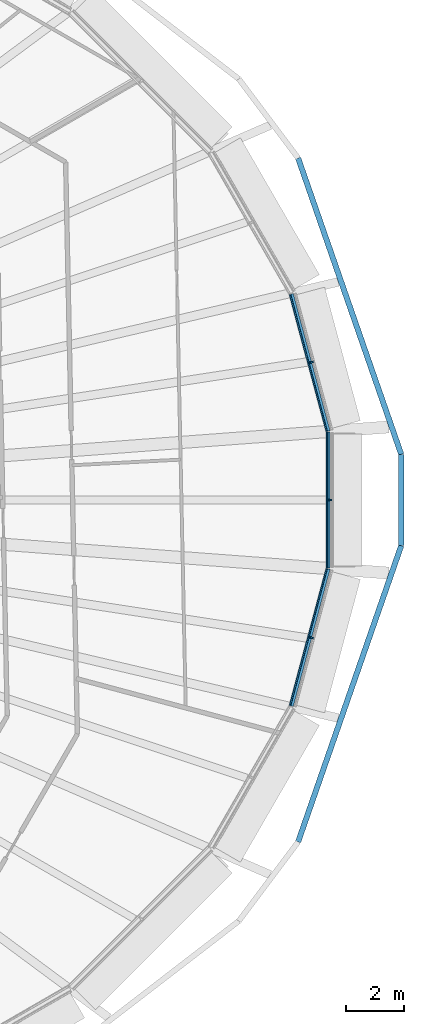
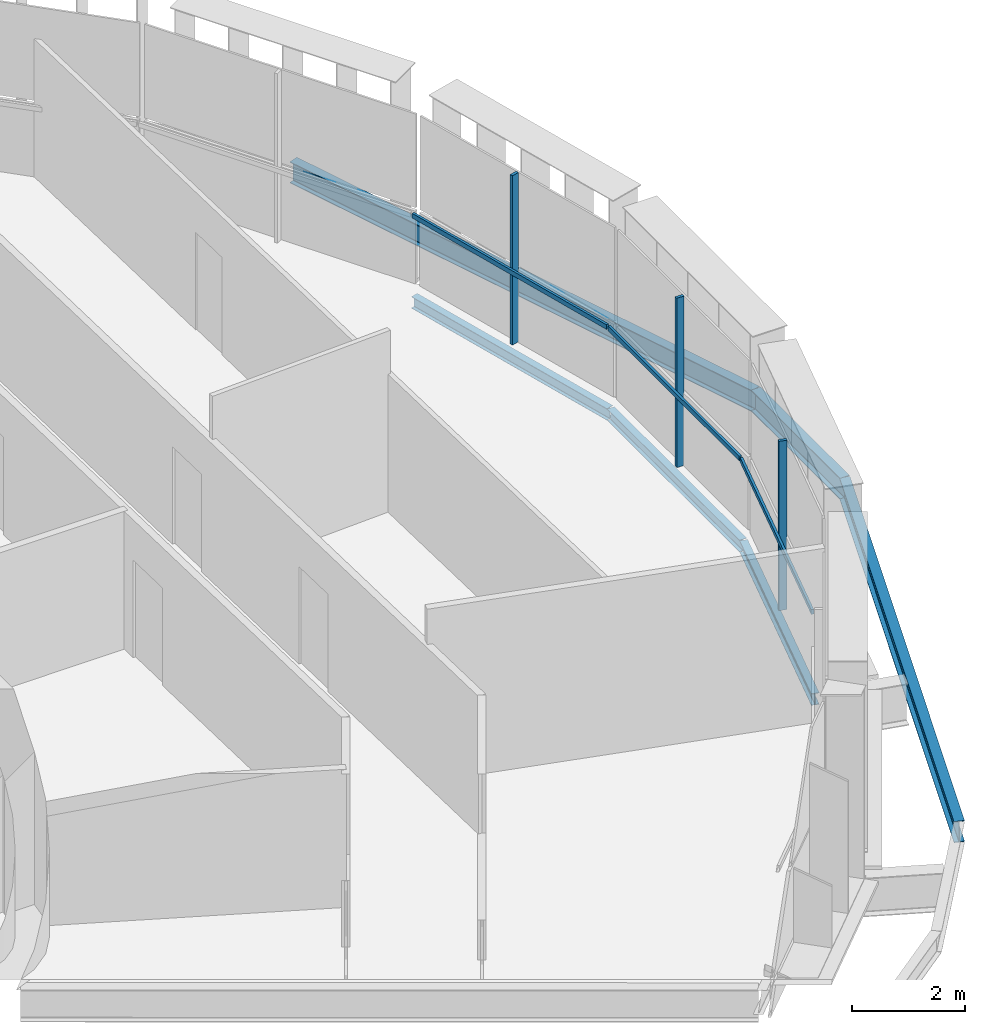
# One storey, part 12 of 26: 6 beams, 6 members, 3 elements without a shape of their own.
"""IFC4 building model written with IfcOpenShell, lengths in metres."""

import ifcopenshell
import ifcopenshell.guid

model = None  # the IFC model being written
_history = None  # IfcOwnerHistory: only IFC2X3 demands one
_inside = {}  # id of a spatial element -> (the spatial element, [elements in it])
_under = {}  # id of a project, library or spatial element -> (it, [spatial elements below it])
_declared = {}  # id of a project -> (the project, [libraries it declares])
_typed = {}  # id of a type object -> (the type object, [elements of that type])
_made_of = {}  # id of a material, layer set ... -> (it, [elements and type objects made of it])


def new_model(schema):
    """Start an empty IFC model of exactly this schema.

    Asked for "IFC4X3", IfcOpenShell would pick the latest addendum, in which some entities
    have other attributes; the version numbers below select the first issue.
    IFC2X3 requires an IfcOwnerHistory on every rooted entity: one is made here for all.
    """
    global model, _history
    if schema == "IFC4X3":
        model = ifcopenshell.file(schema_version=(4, 3, 0, 0))
    else:
        model = ifcopenshell.file(schema=schema)
    _inside.clear()
    _under.clear()
    _declared.clear()
    _typed.clear()
    _made_of.clear()
    _history = None
    if model.schema == "IFC2X3":
        org = make("IfcOrganization", Name="unknown")
        user = make(
            "IfcPersonAndOrganization",
            ThePerson=make("IfcPerson", FamilyName="unknown"),
            TheOrganization=org,
        )
        app = make(
            "IfcApplication",
            ApplicationDeveloper=org,
            Version="unknown",
            ApplicationFullName="unknown",
            ApplicationIdentifier="unknown",
        )
        _history = make(
            "IfcOwnerHistory",
            OwningUser=user,
            OwningApplication=app,
            ChangeAction="ADDED",
            CreationDate=0,
        )
    return model


def make(cls, **values):
    """One entity of the class cls with the attributes given. An attribute that is None is left unset."""
    return model.create_entity(
        cls, **{name: value for name, value in values.items() if value is not None}
    )


def rooted(cls, **values):
    """An entity with a GlobalId (a new one), such as an element, a storey or a relation."""
    return make(cls, GlobalId=ifcopenshell.guid.new(), OwnerHistory=_history, **values)


def si_unit(unit_type, name, prefix=None):
    """IfcSIUnit, for example si_unit("LENGTHUNIT", "METRE", prefix="MILLI")."""
    return make("IfcSIUnit", UnitType=unit_type, Prefix=prefix, Name=name)


def assignment(units):
    """IfcUnitAssignment: the units of a project."""
    return None if units is None else make("IfcUnitAssignment", Units=units)


def point(xyz):
    """IfcCartesianPoint."""
    return None if xyz is None else make("IfcCartesianPoint", Coordinates=xyz)


def direction(xyz):
    """IfcDirection."""
    return None if xyz is None else make("IfcDirection", DirectionRatios=xyz)


def frame(location, z_axis=None, x_axis=None):
    """IfcAxis2Placement3D, a coordinate frame: its origin and axes. An axis left out is left unset."""
    return make(
        "IfcAxis2Placement3D",
        Location=point(location),
        Axis=direction(z_axis),
        RefDirection=direction(x_axis),
    )


def frame_2d(location, x_axis=None):
    """IfcAxis2Placement2D, a coordinate frame in the plane: its origin and x axis."""
    return make(
        "IfcAxis2Placement2D", Location=point(location), RefDirection=direction(x_axis)
    )


def origin():
    """The frame at (0, 0, 0) with its axes left unset."""
    return frame((0.0, 0.0, 0.0))


def origin_2d():
    """The frame at (0, 0) in the plane with its x axis left unset."""
    return frame_2d((0.0, 0.0))


def place(relative_to, where):
    """IfcLocalPlacement: puts the frame where relative to a parent placement (None: the world)."""
    return make(
        "IfcLocalPlacement", PlacementRelTo=relative_to, RelativePlacement=where
    )


def context(
    kind, dimensions, precision=None, world=None, true_north=None, identifier=None
):
    """IfcGeometricRepresentationContext, for example the 3D "Model" context."""
    return make(
        "IfcGeometricRepresentationContext",
        ContextIdentifier=identifier,
        ContextType=kind,
        CoordinateSpaceDimension=dimensions,
        Precision=precision,
        WorldCoordinateSystem=world,
        TrueNorth=true_north,
    )


def subcontext(parent, identifier, kind, view, scale=None):
    """IfcGeometricRepresentationSubContext, for example "Body" below "Model"."""
    return make(
        "IfcGeometricRepresentationSubContext",
        ContextIdentifier=identifier,
        ContextType=kind,
        ParentContext=parent,
        TargetScale=scale,
        TargetView=view,
    )


def project(units=None, contexts=None):
    """IfcProject with its units and contexts."""
    return rooted(
        "IfcProject",
        Name="project",
        RepresentationContexts=contexts,
        UnitsInContext=assignment(units),
    )


def spatial(cls, under=None, at=None, **own):
    """A site, building, storey or space (cls), placed at a placement, below another one or the project."""
    s = rooted(cls, ObjectPlacement=at, **own)
    if under is not None:
        _under.setdefault(under.id(), (under, []))[1].append(s)
    return s


def profile(cls, at=None, kind="AREA", **sizes):
    """A parametric profile (cls). Its sizes go by their IFC names, for example OverallWidth=200.0."""
    return make(cls, ProfileType=kind, Position=at, **sizes)


def rectangle(**sizes):
    """IfcRectangleProfileDef."""
    return profile("IfcRectangleProfileDef", **sizes)


def i_section(**sizes):
    """IfcIShapeProfileDef."""
    return profile("IfcIShapeProfileDef", **sizes)


def extrude(swept, where, along, depth):
    """IfcExtrudedAreaSolid: the profile swept, set in the frame where, extruded along a direction by depth."""
    return make(
        "IfcExtrudedAreaSolid",
        SweptArea=swept,
        Position=where,
        ExtrudedDirection=direction(along),
        Depth=depth,
    )


def shape(context_of_items, identifier, shape_type, items):
    """IfcShapeRepresentation: the items that make up one representation, for example the "Body"."""
    return make(
        "IfcShapeRepresentation",
        ContextOfItems=context_of_items,
        RepresentationIdentifier=identifier,
        RepresentationType=shape_type,
        Items=items,
    )


def material(Name=None, Category=None):
    """IfcMaterial."""
    return make("IfcMaterial", Name=Name, Category=Category)


def layer(
    of_material, thickness, ventilated=None, Name=None, Category=None, Priority=None
):
    """IfcMaterialLayer: one layer of a wall or slab, of a material (None: an air gap)."""
    return make(
        "IfcMaterialLayer",
        Material=of_material,
        LayerThickness=thickness,
        IsVentilated=ventilated,
        Name=Name,
        Category=Category,
        Priority=Priority,
    )


def layer_set(layers, Name=None):
    """IfcMaterialLayerSet."""
    return make("IfcMaterialLayerSet", MaterialLayers=layers, LayerSetName=Name)


def material_profile(
    of_material, cross_section, Name=None, Category=None, Priority=None
):
    """IfcMaterialProfile: a cross section and its material."""
    return make(
        "IfcMaterialProfile",
        Name=Name,
        Material=of_material,
        Profile=cross_section,
        Priority=Priority,
        Category=Category,
    )


def profile_set(profiles, Name=None, composite=None):
    """IfcMaterialProfileSet."""
    return make(
        "IfcMaterialProfileSet",
        Name=Name,
        MaterialProfiles=profiles,
        CompositeProfile=composite,
    )


def made_of(thing, what):
    """Note that an element or type object is made of a material, layer set ...; save() writes the relation."""
    if what is not None:
        _made_of.setdefault(what.id(), (what, []))[1].append(thing)
    return thing


def type_object(cls, material=None, **own):
    """A type object (cls), such as IfcWallType, which elements share."""
    return made_of(rooted(cls, **own), material)


def element(
    cls,
    number,
    at=None,
    inside=None,
    cuts=None,
    type_object=None,
    material=None,
    context=None,
    identifier="Body",
    shape_type=None,
    held_by="IfcProductDefinitionShape",
    body=None,
    shapes=None,
    **own,
):
    """One element of the class cls, such as IfcWall. Its Tag is "e" and its number.

    at: its placement. inside: the storey or other place that contains it. cuts: it is an
    opening in that element (IfcRelVoidsElement). A single representation is given by context,
    identifier, shape_type and body (its items); several are given by shapes. held_by: the class
    of the entity that holds the representations. save() writes the other relations.
    """
    e = rooted(cls, Tag="e%d" % number, ObjectPlacement=at, **own)
    if body is not None:
        shapes = [shape(context, identifier, shape_type, body)]
    if shapes is not None:
        e.Representation = make(held_by, Representations=shapes)
    if inside is not None:
        _inside.setdefault(inside.id(), (inside, []))[1].append(e)
    if cuts is not None:
        rooted(
            "IfcRelVoidsElement", RelatingBuildingElement=cuts, RelatedOpeningElement=e
        )
    if type_object is not None:
        _typed.setdefault(type_object.id(), (type_object, []))[1].append(e)
    return made_of(e, material)


def aggregate(whole, parts):
    """IfcRelAggregates: a whole, such as a stair, and the parts it consists of."""
    return rooted("IfcRelAggregates", RelatingObject=whole, RelatedObjects=parts)


def save(model, path):
    """Write the relations noted so far, then the file.

    IfcRelAggregates (storeys below a building ...), IfcRelContainedInSpatialStructure (elements
    in a storey), IfcRelDefinesByType, IfcRelAssociatesMaterial and IfcRelDeclares: one each for
    every whole, place, type object, material and project.
    """
    for whole, parts in _under.values():
        aggregate(whole, parts)
    for where, things in _inside.values():
        rooted(
            "IfcRelContainedInSpatialStructure",
            RelatedElements=things,
            RelatingStructure=where,
        )
    for kind, things in _typed.values():
        rooted("IfcRelDefinesByType", RelatedObjects=things, RelatingType=kind)
    for what, things in _made_of.values():
        rooted("IfcRelAssociatesMaterial", RelatedObjects=things, RelatingMaterial=what)
    for by, libraries in _declared.values():
        rooted("IfcRelDeclares", RelatingContext=by, RelatedDefinitions=libraries)
    model.write(path)


model = new_model("IFC4")

# Units and contexts
model_context = context("Model", 3, precision=1e-05, world=origin(), true_north=direction((0.0, 1.0)))
body_context = subcontext(model_context, "Body", "Model", "MODEL_VIEW")
ifc_project = project(units=[si_unit("LENGTHUNIT", "METRE"), si_unit("AREAUNIT", "SQUARE_METRE"), si_unit("VOLUMEUNIT", "CUBIC_METRE"), si_unit("PLANEANGLEUNIT", "RADIAN"), si_unit("MASSUNIT", "GRAM", prefix="KILO")], contexts=[model_context])

# Site, building, storey
site_placement = place(None, origin())
site = spatial("IfcSite", under=ifc_project, at=site_placement, CompositionType="ELEMENT")
building_placement = place(site_placement, origin())
building = spatial("IfcBuilding", under=site, at=building_placement, Name="Sahrelin Media Tower", CompositionType="ELEMENT")
storey_placement = place(building_placement, frame((0.0, 0.0, 84.0)))
storey = spatial("IfcBuildingStorey", under=building, at=storey_placement, Name="L15", CompositionType="ELEMENT", Elevation=84.0)

# Beams
ifc_material_1 = material(Name="Steel S355", Category="steel")
ifc_material_profile_1 = material_profile(ifc_material_1, i_section(OverallWidth=0.14599609375, OverallDepth=0.25146484375, WebThickness=0.006103515625, FlangeThickness=0.008544921875, FilletRadius=0.007568359375, at=origin_2d()), Name="UB 254x146x31")
ifc_profile_set_1 = profile_set([ifc_material_profile_1], Name="Steel S355")
beam_type_1 = type_object("IfcBeamType", Name="Edge beam EB1", PredefinedType="BEAM", material=ifc_profile_set_1)
beam_1_placement = place(storey_placement, frame((31.561279296875, 2.33251953125, -0.275634765625), z_axis=(0.0, -1.0, 0.0), x_axis=(1.0, 0.0, 0.0)))
element("IfcBeam", 1, at=beam_1_placement, inside=storey, type_object=beam_type_1, Name="Edge beam L15-01", PredefinedType="BEAM", context=body_context, shape_type="SweptSolid", body=[
    extrude(i_section(OverallWidth=0.14599609375, OverallDepth=0.25146484375, WebThickness=0.006103515625, FlangeThickness=0.008544921875, FilletRadius=0.007568359375, at=origin_2d()), origin(), (0.0, 0.0, 1.0), 4.6650390625),
])
for number, where, z_axis, x_axis, name in (
    (2, (31.5576171875, -2.361083984375, -0.275634765625), (-0.258845236834, -0.965918807855, 0.0), (0.965918807855, -0.258845236834, 0.0), "Edge beam L15-02"),
    (3, (30.2939453125, 7.07666015625, -0.275634765625), (0.258845236834, -0.965918807855, 0.0), (0.965918807855, 0.258845236834, 0.0), "Edge beam L15-24"),
):
    element("IfcBeam", number, at=place(storey_placement, frame(where, z_axis=z_axis, x_axis=x_axis)), inside=storey, type_object=beam_type_1, Name=name, PredefinedType="BEAM", context=body_context, shape_type="SweptSolid", body=[
        extrude(i_section(OverallWidth=0.14599609375, OverallDepth=0.25146484375, WebThickness=0.006103515625, FlangeThickness=0.008544921875, FilletRadius=0.007568359375, at=origin_2d()), origin(), (0.0, 0.0, 1.0), 4.882080078125),
    ])

# Curtain wall, member
ifc_material_2 = material(Name="Champagne anodised aluminium 6063-T6", Category="aluminium")
ifc_layer = layer(ifc_material_2, 0.14990234375)
ifc_layer_set = layer_set([ifc_layer], Name="Tower ribbon curtain wall")
curtain_wall_type = type_object("IfcCurtainWallType", Name="Tower ribbon curtain wall", PredefinedType="NOTDEFINED", material=ifc_layer_set)
curtain_wall_1_placement = place(storey_placement, frame((31.711181640625, 0.0, 0.0), z_axis=(0.0, 0.0, 1.0), x_axis=(1.0, 0.0, 0.0)))
curtain_wall_1 = element("IfcCurtainWall", 4, at=curtain_wall_1_placement, inside=storey, type_object=curtain_wall_type, Name="L15:CW:L15-00", PredefinedType="NOTDEFINED")
ifc_material_profile_2 = material_profile(ifc_material_2, rectangle(XDim=0.06005859375, YDim=0.14990234375, at=origin_2d()), Name="Mullion 60x150")
ifc_profile_set_2 = profile_set([ifc_material_profile_2], Name="Champagne anodised aluminium 6063-T6")
member_type_1 = type_object("IfcMemberType", Name="Mullion 60x150 CW1", PredefinedType="MULLION", material=ifc_profile_set_2)
member_1_placement = place(storey_placement, frame((31.6162109375, 0.0, 0.0), z_axis=(0.0, 0.0, 1.0), x_axis=(0.0, 1.0, 0.0)))
member_1 = element("IfcMember", 5, at=member_1_placement, type_object=member_type_1, Name="L15:CWM:L15-00", PredefinedType="MULLION", context=body_context, shape_type="SweptSolid", body=[
    extrude(rectangle(XDim=0.06005859375, YDim=0.14990234375, at=origin_2d()), origin(), (0.0, 0.0, 1.0), 3.648681640625),
])

curtain_wall_2_placement = place(storey_placement, frame((31.07080078125, 4.757568359375, 0.0), z_axis=(0.0, 0.0, 1.0), x_axis=(1.0, 0.0, 0.0)))
curtain_wall_2 = element("IfcCurtainWall", 6, at=curtain_wall_2_placement, inside=storey, type_object=curtain_wall_type, Name="L15:CW:L15-01", PredefinedType="NOTDEFINED")
member_2_placement = place(storey_placement, frame((30.97900390625, 4.733154296875, 0.0), z_axis=(0.0, 0.0, 1.0), x_axis=(-0.258817359244, 0.965926278012, 0.0)))
member_2 = element("IfcMember", 7, at=member_2_placement, type_object=member_type_1, Name="L15:CWM:L15-01", PredefinedType="MULLION", context=body_context, shape_type="SweptSolid", body=[
    extrude(rectangle(XDim=0.06005859375, YDim=0.14990234375, at=origin_2d()), origin(), (0.0, 0.0, 1.0), 3.648681640625),
])

curtain_wall_3_placement = place(storey_placement, frame((31.07080078125, -4.757568359375, 0.0), z_axis=(0.0, 0.0, 1.0), x_axis=(1.0, 0.0, 0.0)))
curtain_wall_3 = element("IfcCurtainWall", 8, at=curtain_wall_3_placement, inside=storey, type_object=curtain_wall_type, Name="L15:CW:L15-23", PredefinedType="NOTDEFINED")
member_3_placement = place(storey_placement, frame((30.97900390625, -4.733154296875, 0.0), z_axis=(0.0, 0.0, 1.0), x_axis=(0.258817359244, 0.965926278012, 0.0)))
member_3 = element("IfcMember", 9, at=member_3_placement, type_object=member_type_1, Name="L15:CWM:L15-23", PredefinedType="MULLION", context=body_context, shape_type="SweptSolid", body=[
    extrude(rectangle(XDim=0.06005859375, YDim=0.14990234375, at=origin_2d()), origin(), (0.0, 0.0, 1.0), 3.648681640625),
])

# Beams
ifc_material_profile_3 = material_profile(ifc_material_1, i_section(OverallWidth=0.1904296875, OverallDepth=0.45703125, WebThickness=0.009033203125, FlangeThickness=0.014404296875, FilletRadius=0.01025390625, at=origin_2d()), Name="UB 457x191x74")
ifc_profile_set_3 = profile_set([ifc_material_profile_3], Name="Steel S355")
beam_type_2 = type_object("IfcBeamType", Name="Tie chord TC5", PredefinedType="BEAM", material=ifc_profile_set_3)
for number, where, z_axis, x_axis, name in (
    (10, (34.074462890625, 1.5703125, -0.37841796875), (-0.328779674512, 0.944406652681, 0.0), (-0.944406652681, -0.328779674512, 0.0), "Tie chord L15-01"),
    (11, (30.529296875, -11.753662109375, -0.37841796875), (0.328779674512, 0.944406652681, 0.0), (-0.944406652681, 0.328779674512, 0.0), "Tie chord L15-23"),
):
    element("IfcBeam", number, at=place(storey_placement, frame(where, z_axis=z_axis, x_axis=x_axis)), inside=storey, type_object=beam_type_2, Name=name, PredefinedType="BEAM", context=body_context, shape_type="SweptSolid", body=[
        extrude(i_section(OverallWidth=0.1904296875, OverallDepth=0.45703125, WebThickness=0.009033203125, FlangeThickness=0.014404296875, FilletRadius=0.01025390625, at=origin_2d()), origin(), (0.0, 0.0, 1.0), 10.78271484375),
    ])
beam_2_placement = place(storey_placement, frame((34.074462890625, -1.5703125, -0.37841796875), z_axis=(0.0, 1.0, 0.0), x_axis=(-1.0, 0.0, 0.0)))
element("IfcBeam", 12, at=beam_2_placement, inside=storey, type_object=beam_type_2, Name="Tie chord L15-24", PredefinedType="BEAM", context=body_context, shape_type="SweptSolid", body=[
    extrude(i_section(OverallWidth=0.1904296875, OverallDepth=0.45703125, WebThickness=0.009033203125, FlangeThickness=0.014404296875, FilletRadius=0.01025390625, at=origin_2d()), origin(), (0.0, 0.0, 1.0), 3.140625),
])

# Member
ifc_material_profile_4 = material_profile(ifc_material_2, rectangle(XDim=0.050048828125, YDim=0.10009765625, at=origin_2d()), Name="Transom 50x100")
ifc_profile_set_4 = profile_set([ifc_material_profile_4], Name="Champagne anodised aluminium 6063-T6")
member_type_2 = type_object("IfcMemberType", Name="Transom 50x100 CW1", PredefinedType="USERDEFINED", material=ifc_profile_set_4)
member_4_placement = place(storey_placement, frame((31.516357421875, -2.316650390625, 1.60009765625), z_axis=(0.0, 1.0, 0.0), x_axis=(-1.0, 0.0, 0.0)))
member_4 = element("IfcMember", 13, at=member_4_placement, type_object=member_type_2, Name="L15:CWT:L15-00", ObjectType="TRANSOM", PredefinedType="USERDEFINED", context=body_context, shape_type="SweptSolid", body=[
    extrude(rectangle(XDim=0.050048828125, YDim=0.10009765625, at=origin_2d()), origin(), (0.0, 0.0, 1.0), 4.63330078125),
])

aggregate(curtain_wall_1, [member_1, member_4])

member_5_placement = place(storey_placement, frame((31.510009765625, 2.364501953125, 1.60009765625), z_axis=(-0.258809044708, 0.965928505831, 0.0), x_axis=(-0.965928505831, -0.258809044708, 0.0)))
member_5 = element("IfcMember", 14, at=member_5_placement, type_object=member_type_2, Name="L15:CWT:L15-01", ObjectType="TRANSOM", PredefinedType="USERDEFINED", context=body_context, shape_type="SweptSolid", body=[
    extrude(rectangle(XDim=0.050048828125, YDim=0.10009765625, at=origin_2d()), origin(), (0.0, 0.0, 1.0), 4.8505859375),
])

aggregate(curtain_wall_2, [member_2, member_5])

member_6_placement = place(storey_placement, frame((30.254638671875, -7.0498046875, 1.60009765625), z_axis=(0.258809044708, 0.965928505831, 0.0), x_axis=(-0.965928505831, 0.258809044708, 0.0)))
member_6 = element("IfcMember", 15, at=member_6_placement, type_object=member_type_2, Name="L15:CWT:L15-23", ObjectType="TRANSOM", PredefinedType="USERDEFINED", context=body_context, shape_type="SweptSolid", body=[
    extrude(rectangle(XDim=0.050048828125, YDim=0.10009765625, at=origin_2d()), origin(), (0.0, 0.0, 1.0), 4.8505859375),
])

aggregate(curtain_wall_3, [member_3, member_6])

save(model, "model.ifc")
